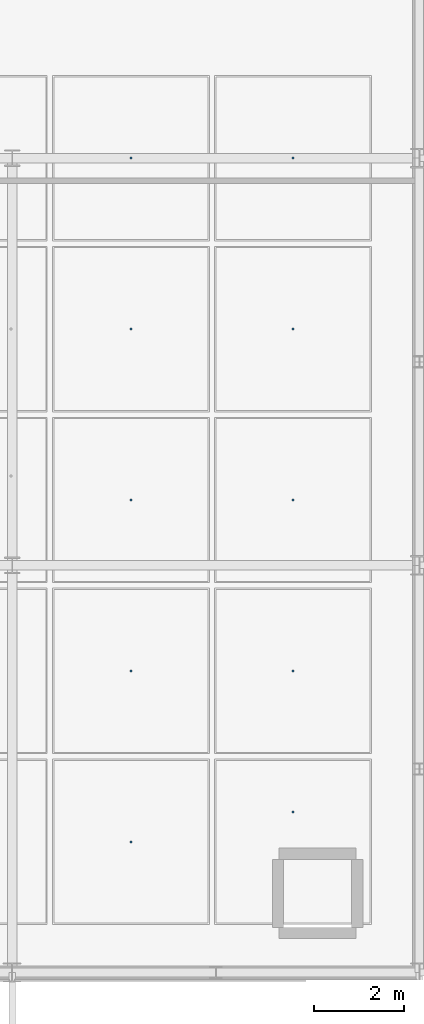
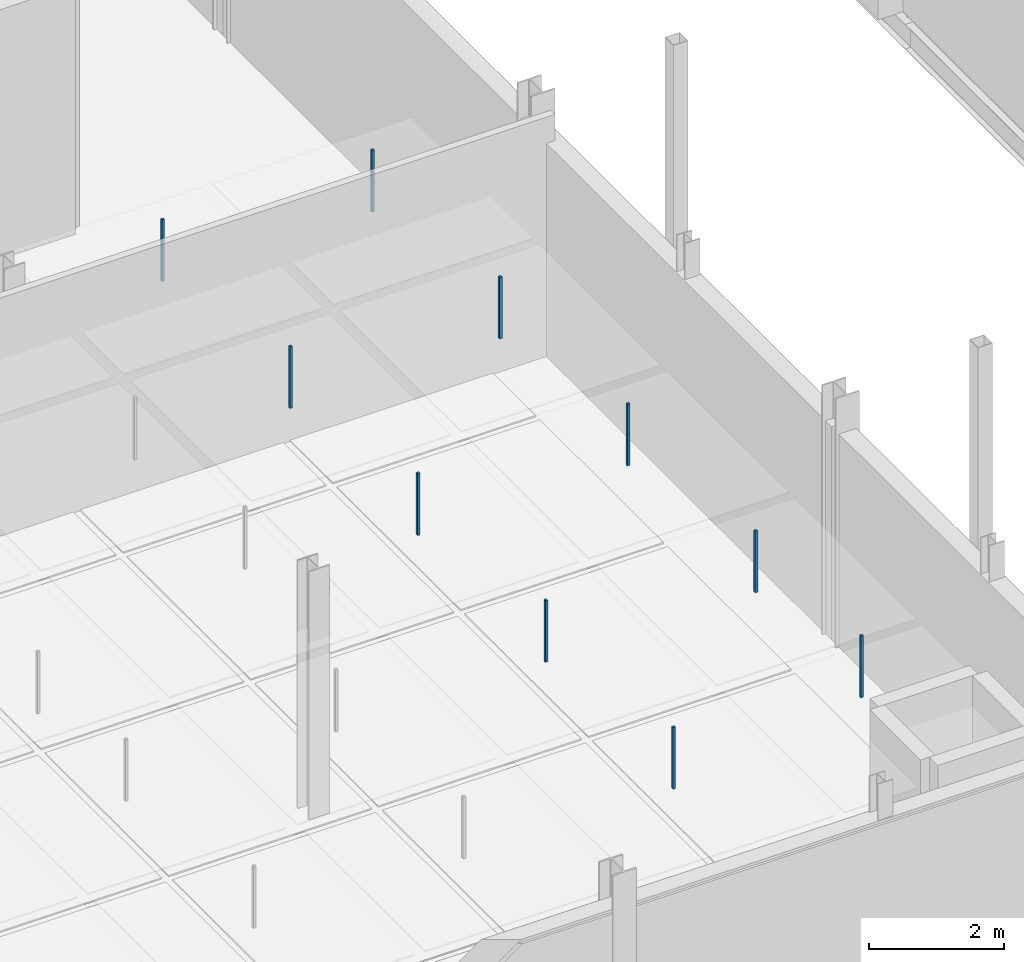
# One storey, part 85 of 130: 10 discrete accessories.
"""IFC4 building model written with IfcOpenShell, lengths in metres."""

from ifc_helpers import new_model, si_unit, direction, frame, origin, origin_2d, place, context, subcontext, project, spatial, rectangle, extrude, material, type_object, element, save


model = new_model("IFC4")

# Units and contexts
model_context = context("Model", 3, precision=1e-05, world=origin(), true_north=direction((0.0, 1.0)))
body_context = subcontext(model_context, "Body", "Model", "MODEL_VIEW")
ifc_project = project(units=[si_unit("LENGTHUNIT", "METRE"), si_unit("AREAUNIT", "SQUARE_METRE"), si_unit("VOLUMEUNIT", "CUBIC_METRE"), si_unit("PLANEANGLEUNIT", "RADIAN"), si_unit("MASSUNIT", "GRAM", prefix="KILO"), si_unit("THERMODYNAMICTEMPERATUREUNIT", "KELVIN"), si_unit("POWERUNIT", "WATT")], contexts=[model_context])

# Site, building, storey
site_placement = place(None, origin())
site = spatial("IfcSite", under=ifc_project, at=site_placement, CompositionType="ELEMENT")
building_placement = place(site_placement, origin())
building = spatial("IfcBuilding", under=site, at=building_placement, Name="Tallowbark Science Centre", CompositionType="ELEMENT")
storey_placement = place(building_placement, frame((0.0, 0.0, 5.39990234375)))
storey = spatial("IfcBuildingStorey", under=building, at=storey_placement, Name="L01", CompositionType="ELEMENT", Elevation=5.39990234375)

# Discrete accessories
ifc_material = material(Name="Galvanised Steel Grade C350L0 (350 MPa)", Category="steel")
discrete_accessory_type = type_object("IfcDiscreteAccessoryType", Name="ACC-CLG-HNG", PredefinedType="BRACKET", material=ifc_material)
for number, where, z_axis, x_axis, name in (
    (1, (97.125, 7.388916015625, 3.20947265625), (0.0, 0.0, 1.0), (1.0, 0.0, 0.0), "Ceiling Hanger Bracket L01-553"),
    (2, (97.125, 11.166748046875, 3.20947265625), (0.0, 0.0, 1.0), (1.0, 0.0, 0.0), "Ceiling Hanger Bracket L01-554"),
    (3, (97.125, 14.9443359375, 3.20947265625), (0.0, 0.0, 1.0), (1.0, 0.0, 0.0), "Ceiling Hanger Bracket L01-555"),
    (4, (97.125, 18.72216796875, 3.20947265625), (0.0, 0.0, 1.0), (1.0, 0.0, 0.0), "Ceiling Hanger Bracket L01-556"),
    (5, (97.125, 22.5, 3.20947265625), (0.0, 0.0, 1.0), (1.0, 0.0, 0.0), "Ceiling Hanger Bracket L01-557"),
    (6, (100.708251953125, 8.0439453125, 3.20947265625), (0.0, 0.0, 1.0), (1.0, 0.0, 0.0), "Ceiling Hanger Bracket L01-558"),
    (7, (100.708251953125, 11.166748046875, 3.20947265625), (0.0, 0.0, 1.0), (1.0, 0.0, 0.0), "Ceiling Hanger Bracket L01-559"),
    (8, (100.708251953125, 14.9443359375, 3.20947265625), (0.0, 0.0, 1.0), (1.0, 0.0, 0.0), "Ceiling Hanger Bracket L01-560"),
    (9, (100.708251953125, 18.72216796875, 3.20947265625), (0.0, 0.0, 1.0), (1.0, 0.0, 0.0), "Ceiling Hanger Bracket L01-561"),
    (10, (100.708251953125, 22.5, 3.20947265625), (0.0, 0.0, 1.0), (1.0, 0.0, 0.0), "Ceiling Hanger Bracket L01-562"),
):
    element("IfcDiscreteAccessory", number, at=place(storey_placement, frame(where, z_axis=z_axis, x_axis=x_axis)), inside=storey, type_object=discrete_accessory_type, Name=name, PredefinedType="BRACKET", context=body_context, shape_type="SweptSolid", body=[
        extrude(rectangle(XDim=0.044921875, YDim=0.044921875, at=origin_2d()), origin(), (0.0, 0.0, 1.0), 1.113525390625),
    ])

save(model, "model.ifc")
